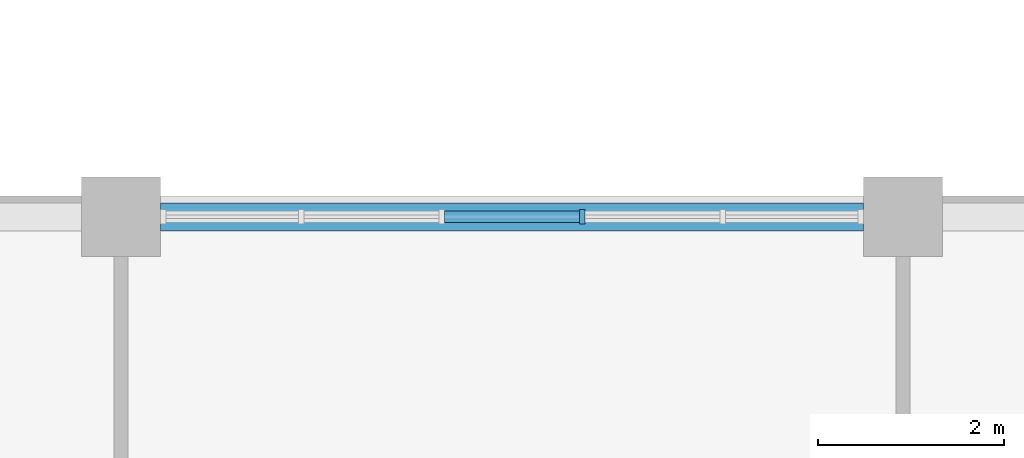
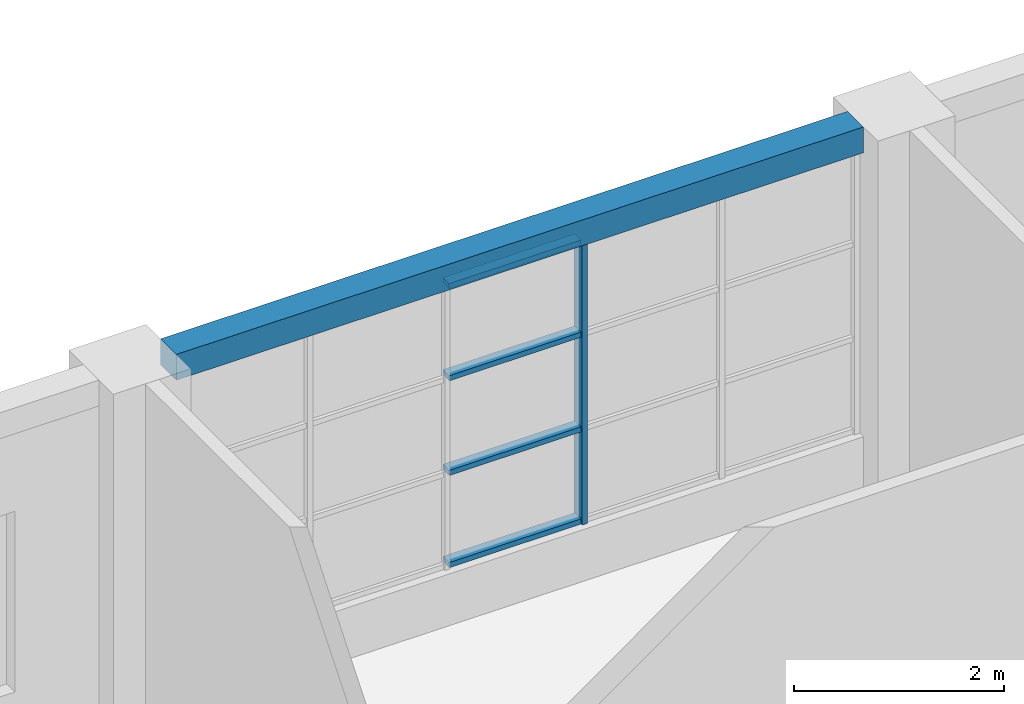
# One storey, part 9 of 66: 5 members, 1 beam, 1 element without a shape of its own.
"""IFC4 building model written with IfcOpenShell, lengths in metres."""

from ifc_helpers import new_model, si_unit, direction, frame, origin, origin_2d, place, context, subcontext, project, spatial, rectangle, extrude, material, material_profile, profile_set, type_object, element, aggregate, save


model = new_model("IFC4")

# Units and contexts
model_context = context("Model", 3, precision=1e-05, world=origin(), true_north=direction((0.0, 1.0)))
body_context = subcontext(model_context, "Body", "Model", "MODEL_VIEW")
ifc_project = project(units=[si_unit("LENGTHUNIT", "METRE"), si_unit("AREAUNIT", "SQUARE_METRE"), si_unit("VOLUMEUNIT", "CUBIC_METRE"), si_unit("PLANEANGLEUNIT", "RADIAN"), si_unit("MASSUNIT", "GRAM", prefix="KILO")], contexts=[model_context])

# Site, building, storey
site_placement = place(None, origin())
site = spatial("IfcSite", under=ifc_project, at=site_placement, CompositionType="ELEMENT")
building_placement = place(site_placement, origin())
building = spatial("IfcBuilding", under=site, at=building_placement, Name="Yavir Park General Hospital", CompositionType="ELEMENT")
storey_placement = place(building_placement, frame((0.0, 0.0, 8.39990234375)))
storey = spatial("IfcBuildingStorey", under=building, at=storey_placement, Name="L02", CompositionType="ELEMENT", Elevation=8.39990234375)

# Curtain wall, members
ifc_material_1 = material(Name="Aluminium curtain wall frame with insulated glazing", Category="aluminium")
curtain_wall_type = type_object("IfcCurtainWallType", Name="Day room pocket glazing, clinical floors, 3300 high, 1400 module", PredefinedType="NOTDEFINED", material=ifc_material_1)
curtain_wall_placement = place(storey_placement, origin())
curtain_wall = element("IfcCurtainWall", 1, at=curtain_wall_placement, inside=storey, type_object=curtain_wall_type, Name="CW58 L02-006", PredefinedType="NOTDEFINED")
ifc_material_2 = material(Name="Aluminium", Category="aluminium")
ifc_material_profile_1 = material_profile(ifc_material_2, rectangle(XDim=0.159912109375, YDim=0.06005859375, at=origin_2d()), Name="AL 60x160")
ifc_profile_set_1 = profile_set([ifc_material_profile_1], Name="Aluminium")
member_type_1 = type_object("IfcMemberType", Name="Day room pocket glazing, clinical floors, 3300 high mullion 60 x 160", PredefinedType="MULLION", material=ifc_profile_set_1)
member_1_placement = place(storey_placement, frame((63.7548828125, 33.60009765625, 0.60009765625), z_axis=(0.0, 0.0, 1.0), x_axis=(0.0, 1.0, 0.0)))
member_1 = element("IfcMember", 2, at=member_1_placement, type_object=member_type_1, Name="CW58 mullion 4", PredefinedType="MULLION", context=body_context, shape_type="SweptSolid", body=[
    extrude(rectangle(XDim=0.159912109375, YDim=0.06005859375, at=origin_2d()), origin(), (0.0, 0.0, 1.0), 3.300048828125),
])
ifc_material_3 = material(Name="Aluminium", Category="aluminium")
ifc_material_profile_2 = material_profile(ifc_material_3, rectangle(XDim=0.1201171875, YDim=0.06005859375, at=origin_2d()), Name="AL 120x60")
ifc_profile_set_2 = profile_set([ifc_material_profile_2], Name="Aluminium")
member_type_2 = type_object("IfcMemberType", Name="Day room pocket glazing, clinical floors, 3300 high transom 60 x 120", PredefinedType="MULLION", material=ifc_profile_set_2)
member_2_placement = place(storey_placement, frame((62.27490234375, 33.60009765625, 0.630126953125), z_axis=(1.0, 0.0, 0.0), x_axis=(0.0, 1.0, 0.0)))
member_2 = element("IfcMember", 3, at=member_2_placement, type_object=member_type_2, Name="CW58 transom 3.1", PredefinedType="MULLION", context=body_context, shape_type="SweptSolid", body=[
    extrude(rectangle(XDim=0.1201171875, YDim=0.06005859375, at=origin_2d()), origin(), (0.0, 0.0, 1.0), 1.4501953125),
])
member_3_placement = place(storey_placement, frame((62.27490234375, 33.60009765625, 1.7001953125), z_axis=(1.0, 0.0, 0.0), x_axis=(0.0, 1.0, 0.0)))
member_3 = element("IfcMember", 4, at=member_3_placement, type_object=member_type_2, Name="CW58 transom 3.2", PredefinedType="MULLION", context=body_context, shape_type="SweptSolid", body=[
    extrude(rectangle(XDim=0.1201171875, YDim=0.06005859375, at=origin_2d()), origin(), (0.0, 0.0, 1.0), 1.4501953125),
])
member_4_placement = place(storey_placement, frame((62.27490234375, 33.60009765625, 2.800048828125), z_axis=(1.0, 0.0, 0.0), x_axis=(0.0, 1.0, 0.0)))
member_4 = element("IfcMember", 5, at=member_4_placement, type_object=member_type_2, Name="CW58 transom 3.3", PredefinedType="MULLION", context=body_context, shape_type="SweptSolid", body=[
    extrude(rectangle(XDim=0.1201171875, YDim=0.06005859375, at=origin_2d()), origin(), (0.0, 0.0, 1.0), 1.4501953125),
])
member_5_placement = place(storey_placement, frame((62.27490234375, 33.60009765625, 3.8701171875), z_axis=(1.0, 0.0, 0.0), x_axis=(0.0, 1.0, 0.0)))
member_5 = element("IfcMember", 6, at=member_5_placement, type_object=member_type_2, Name="CW58 transom 3.4", PredefinedType="MULLION", context=body_context, shape_type="SweptSolid", body=[
    extrude(rectangle(XDim=0.1201171875, YDim=0.06005859375, at=origin_2d()), origin(), (0.0, 0.0, 1.0), 1.4501953125),
])
aggregate(curtain_wall, [member_1, member_2, member_3, member_4, member_5])

# Beam
ifc_material_4 = material(Name="Concrete C35/45", Category="concrete")
ifc_material_profile_3 = material_profile(ifc_material_4, rectangle(XDim=0.300048828125, YDim=0.300048828125, at=origin_2d()), Name="RC300x300")
ifc_profile_set_3 = profile_set([ifc_material_profile_3], Name="Concrete C35/45")
beam_type = type_object("IfcBeamType", Name="RC BEAM 300x300 edge beam", PredefinedType="BEAM", material=ifc_profile_set_3)
beam_placement = place(storey_placement, frame((59.22509765625, 33.60009765625, 4.050048828125), z_axis=(1.0, 0.0, 0.0), x_axis=(0.0, 1.0, 0.0)))
element("IfcBeam", 7, at=beam_placement, inside=storey, type_object=beam_type, Name="B:EDGE:L02:020", PredefinedType="BEAM", context=body_context, shape_type="SweptSolid", body=[
    extrude(rectangle(XDim=0.300048828125, YDim=0.300048828125, at=origin_2d()), origin(), (0.0, 0.0, 1.0), 7.5498046875),
])

save(model, "model.ifc")
